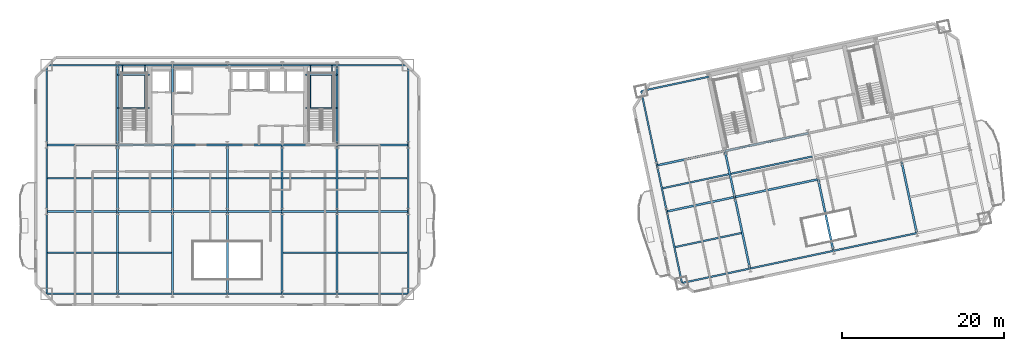
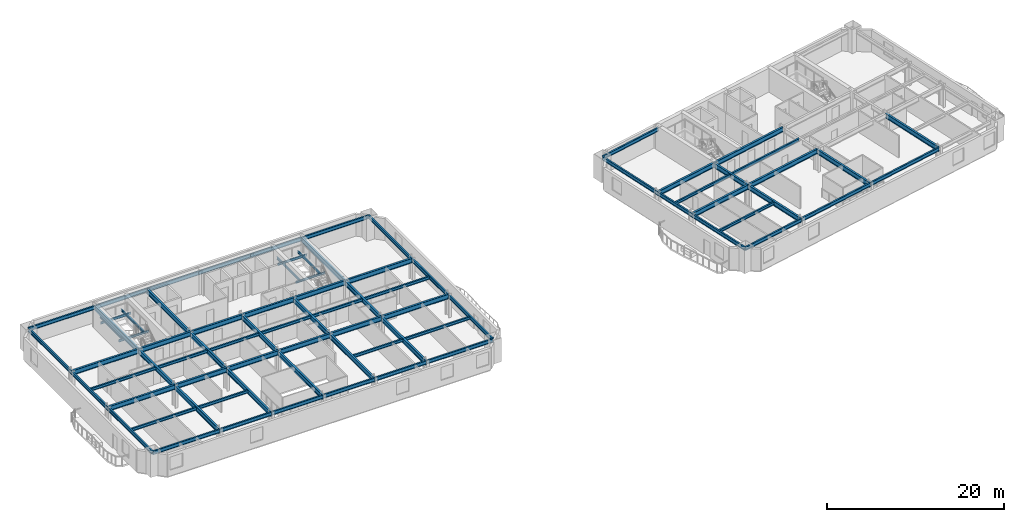
# One storey, part 3 of 13: 79 beams.
"""IFC4 building model written with IfcOpenShell, lengths in metres."""

import ifcopenshell
import ifcopenshell.guid

model = None  # the IFC model being written
_history = None  # IfcOwnerHistory: only IFC2X3 demands one
_inside = {}  # id of a spatial element -> (the spatial element, [elements in it])
_under = {}  # id of a project, library or spatial element -> (it, [spatial elements below it])
_declared = {}  # id of a project -> (the project, [libraries it declares])
_typed = {}  # id of a type object -> (the type object, [elements of that type])
_made_of = {}  # id of a material, layer set ... -> (it, [elements and type objects made of it])


def new_model(schema):
    """Start an empty IFC model of exactly this schema.

    Asked for "IFC4X3", IfcOpenShell would pick the latest addendum, in which some entities
    have other attributes; the version numbers below select the first issue.
    IFC2X3 requires an IfcOwnerHistory on every rooted entity: one is made here for all.
    """
    global model, _history
    if schema == "IFC4X3":
        model = ifcopenshell.file(schema_version=(4, 3, 0, 0))
    else:
        model = ifcopenshell.file(schema=schema)
    _inside.clear()
    _under.clear()
    _declared.clear()
    _typed.clear()
    _made_of.clear()
    _history = None
    if model.schema == "IFC2X3":
        org = make("IfcOrganization", Name="unknown")
        user = make(
            "IfcPersonAndOrganization",
            ThePerson=make("IfcPerson", FamilyName="unknown"),
            TheOrganization=org,
        )
        app = make(
            "IfcApplication",
            ApplicationDeveloper=org,
            Version="unknown",
            ApplicationFullName="unknown",
            ApplicationIdentifier="unknown",
        )
        _history = make(
            "IfcOwnerHistory",
            OwningUser=user,
            OwningApplication=app,
            ChangeAction="ADDED",
            CreationDate=0,
        )
    return model


def make(cls, **values):
    """One entity of the class cls with the attributes given. An attribute that is None is left unset."""
    return model.create_entity(
        cls, **{name: value for name, value in values.items() if value is not None}
    )


def rooted(cls, **values):
    """An entity with a GlobalId (a new one), such as an element, a storey or a relation."""
    return make(cls, GlobalId=ifcopenshell.guid.new(), OwnerHistory=_history, **values)


def si_unit(unit_type, name, prefix=None):
    """IfcSIUnit, for example si_unit("LENGTHUNIT", "METRE", prefix="MILLI")."""
    return make("IfcSIUnit", UnitType=unit_type, Prefix=prefix, Name=name)


def assignment(units):
    """IfcUnitAssignment: the units of a project."""
    return None if units is None else make("IfcUnitAssignment", Units=units)


def point(xyz):
    """IfcCartesianPoint."""
    return None if xyz is None else make("IfcCartesianPoint", Coordinates=xyz)


def direction(xyz):
    """IfcDirection."""
    return None if xyz is None else make("IfcDirection", DirectionRatios=xyz)


def frame(location, z_axis=None, x_axis=None):
    """IfcAxis2Placement3D, a coordinate frame: its origin and axes. An axis left out is left unset."""
    return make(
        "IfcAxis2Placement3D",
        Location=point(location),
        Axis=direction(z_axis),
        RefDirection=direction(x_axis),
    )


def frame_2d(location, x_axis=None):
    """IfcAxis2Placement2D, a coordinate frame in the plane: its origin and x axis."""
    return make(
        "IfcAxis2Placement2D", Location=point(location), RefDirection=direction(x_axis)
    )


def origin():
    """The frame at (0, 0, 0) with its axes left unset."""
    return frame((0.0, 0.0, 0.0))


def origin_2d():
    """The frame at (0, 0) in the plane with its x axis left unset."""
    return frame_2d((0.0, 0.0))


def place(relative_to, where):
    """IfcLocalPlacement: puts the frame where relative to a parent placement (None: the world)."""
    return make(
        "IfcLocalPlacement", PlacementRelTo=relative_to, RelativePlacement=where
    )


def context(
    kind, dimensions, precision=None, world=None, true_north=None, identifier=None
):
    """IfcGeometricRepresentationContext, for example the 3D "Model" context."""
    return make(
        "IfcGeometricRepresentationContext",
        ContextIdentifier=identifier,
        ContextType=kind,
        CoordinateSpaceDimension=dimensions,
        Precision=precision,
        WorldCoordinateSystem=world,
        TrueNorth=true_north,
    )


def subcontext(parent, identifier, kind, view, scale=None):
    """IfcGeometricRepresentationSubContext, for example "Body" below "Model"."""
    return make(
        "IfcGeometricRepresentationSubContext",
        ContextIdentifier=identifier,
        ContextType=kind,
        ParentContext=parent,
        TargetScale=scale,
        TargetView=view,
    )


def project(units=None, contexts=None):
    """IfcProject with its units and contexts."""
    return rooted(
        "IfcProject",
        Name="project",
        RepresentationContexts=contexts,
        UnitsInContext=assignment(units),
    )


def spatial(cls, under=None, at=None, **own):
    """A site, building, storey or space (cls), placed at a placement, below another one or the project."""
    s = rooted(cls, ObjectPlacement=at, **own)
    if under is not None:
        _under.setdefault(under.id(), (under, []))[1].append(s)
    return s


def profile(cls, at=None, kind="AREA", **sizes):
    """A parametric profile (cls). Its sizes go by their IFC names, for example OverallWidth=200.0."""
    return make(cls, ProfileType=kind, Position=at, **sizes)


def i_section(**sizes):
    """IfcIShapeProfileDef."""
    return profile("IfcIShapeProfileDef", **sizes)


def extrude(swept, where, along, depth):
    """IfcExtrudedAreaSolid: the profile swept, set in the frame where, extruded along a direction by depth."""
    return make(
        "IfcExtrudedAreaSolid",
        SweptArea=swept,
        Position=where,
        ExtrudedDirection=direction(along),
        Depth=depth,
    )


def shape(context_of_items, identifier, shape_type, items):
    """IfcShapeRepresentation: the items that make up one representation, for example the "Body"."""
    return make(
        "IfcShapeRepresentation",
        ContextOfItems=context_of_items,
        RepresentationIdentifier=identifier,
        RepresentationType=shape_type,
        Items=items,
    )


def material(Name=None, Category=None):
    """IfcMaterial."""
    return make("IfcMaterial", Name=Name, Category=Category)


def material_profile(
    of_material, cross_section, Name=None, Category=None, Priority=None
):
    """IfcMaterialProfile: a cross section and its material."""
    return make(
        "IfcMaterialProfile",
        Name=Name,
        Material=of_material,
        Profile=cross_section,
        Priority=Priority,
        Category=Category,
    )


def profile_set(profiles, Name=None, composite=None):
    """IfcMaterialProfileSet."""
    return make(
        "IfcMaterialProfileSet",
        Name=Name,
        MaterialProfiles=profiles,
        CompositeProfile=composite,
    )


def made_of(thing, what):
    """Note that an element or type object is made of a material, layer set ...; save() writes the relation."""
    if what is not None:
        _made_of.setdefault(what.id(), (what, []))[1].append(thing)
    return thing


def type_object(cls, material=None, **own):
    """A type object (cls), such as IfcWallType, which elements share."""
    return made_of(rooted(cls, **own), material)


def element(
    cls,
    number,
    at=None,
    inside=None,
    cuts=None,
    type_object=None,
    material=None,
    context=None,
    identifier="Body",
    shape_type=None,
    held_by="IfcProductDefinitionShape",
    body=None,
    shapes=None,
    **own,
):
    """One element of the class cls, such as IfcWall. Its Tag is "e" and its number.

    at: its placement. inside: the storey or other place that contains it. cuts: it is an
    opening in that element (IfcRelVoidsElement). A single representation is given by context,
    identifier, shape_type and body (its items); several are given by shapes. held_by: the class
    of the entity that holds the representations. save() writes the other relations.
    """
    e = rooted(cls, Tag="e%d" % number, ObjectPlacement=at, **own)
    if body is not None:
        shapes = [shape(context, identifier, shape_type, body)]
    if shapes is not None:
        e.Representation = make(held_by, Representations=shapes)
    if inside is not None:
        _inside.setdefault(inside.id(), (inside, []))[1].append(e)
    if cuts is not None:
        rooted(
            "IfcRelVoidsElement", RelatingBuildingElement=cuts, RelatedOpeningElement=e
        )
    if type_object is not None:
        _typed.setdefault(type_object.id(), (type_object, []))[1].append(e)
    return made_of(e, material)


def aggregate(whole, parts):
    """IfcRelAggregates: a whole, such as a stair, and the parts it consists of."""
    return rooted("IfcRelAggregates", RelatingObject=whole, RelatedObjects=parts)


def save(model, path):
    """Write the relations noted so far, then the file.

    IfcRelAggregates (storeys below a building ...), IfcRelContainedInSpatialStructure (elements
    in a storey), IfcRelDefinesByType, IfcRelAssociatesMaterial and IfcRelDeclares: one each for
    every whole, place, type object, material and project.
    """
    for whole, parts in _under.values():
        aggregate(whole, parts)
    for where, things in _inside.values():
        rooted(
            "IfcRelContainedInSpatialStructure",
            RelatedElements=things,
            RelatingStructure=where,
        )
    for kind, things in _typed.values():
        rooted("IfcRelDefinesByType", RelatedObjects=things, RelatingType=kind)
    for what, things in _made_of.values():
        rooted("IfcRelAssociatesMaterial", RelatedObjects=things, RelatingMaterial=what)
    for by, libraries in _declared.values():
        rooted("IfcRelDeclares", RelatingContext=by, RelatedDefinitions=libraries)
    model.write(path)


model = new_model("IFC4")

# Units and contexts
model_context = context("Model", 3, precision=1e-05, world=origin(), true_north=direction((0.0, 1.0)))
body_context = subcontext(model_context, "Body", "Model", "MODEL_VIEW")
ifc_project = project(units=[si_unit("LENGTHUNIT", "METRE"), si_unit("AREAUNIT", "SQUARE_METRE"), si_unit("VOLUMEUNIT", "CUBIC_METRE"), si_unit("PLANEANGLEUNIT", "RADIAN"), si_unit("MASSUNIT", "GRAM", prefix="KILO")], contexts=[model_context])

# Site, building, storey
site_placement = place(None, origin())
site = spatial("IfcSite", under=ifc_project, at=site_placement, CompositionType="ELEMENT")
building_placement = place(site_placement, origin())
building = spatial("IfcBuilding", under=site, at=building_placement, Name="Haevon Station Towers", CompositionType="ELEMENT")
storey_placement = place(building_placement, frame((0.0, 0.0, 99.89990234375)))
storey = spatial("IfcBuildingStorey", under=building, at=storey_placement, Name="L26", CompositionType="ELEMENT", Elevation=99.89990234375)

# Beams
ifc_material = material(Name="Steel S355", Category="steel")
ifc_material_profile_1 = material_profile(ifc_material, i_section(OverallWidth=0.25, OverallDepth=0.64990234375, WebThickness=0.012939453125, FlangeThickness=0.02197265625, at=origin_2d()), Name="H-650x250x13x22")
ifc_profile_set_1 = profile_set([ifc_material_profile_1], Name="Steel S355")
beam_type_1 = type_object("IfcBeamType", Name="BM-G650", PredefinedType="BEAM", material=ifc_profile_set_1)
beam_1_placement = place(storey_placement, frame((15.25, 30.0, 2.72509765625), z_axis=(1.0, 0.0, 0.0), x_axis=(0.0, 1.0, 0.0)))
element("IfcBeam", 1, at=beam_1_placement, inside=storey, type_object=beam_type_1, Name="BM-T1U-L26-02-01", PredefinedType="BEAM", context=body_context, shape_type="SweptSolid", body=[
    extrude(i_section(OverallWidth=0.25, OverallDepth=0.64990234375, WebThickness=0.012939453125, FlangeThickness=0.02197265625, at=origin_2d()), origin(), (0.0, 0.0, 1.0), 8.75),
])
for number, where, z_axis, x_axis, name in (
    (2, (24.0, 30.0, 2.72509765625), (1.0, 0.0, 0.0), (0.0, 1.0, 0.0), "BM-T1U-L26-02-02"),
    (3, (30.75, 30.0, 2.72509765625), (1.0, 0.0, 0.0), (0.0, 1.0, 0.0), "BM-T1U-L26-02-03"),
    (4, (37.5, 30.0, 2.72509765625), (1.0, 0.0, 0.0), (0.0, 1.0, 0.0), "BM-T1U-L26-02-04"),
    (5, (44.25, 30.0, 2.72509765625), (1.0, 0.0, 0.0), (0.0, 1.0, 0.0), "BM-T1U-L26-02-05"),
):
    element("IfcBeam", number, at=place(storey_placement, frame(where, z_axis=z_axis, x_axis=x_axis)), inside=storey, type_object=beam_type_1, Name=name, PredefinedType="BEAM", context=body_context, shape_type="SweptSolid", body=[
        extrude(i_section(OverallWidth=0.25, OverallDepth=0.64990234375, WebThickness=0.012939453125, FlangeThickness=0.02197265625, at=origin_2d()), origin(), (0.0, 0.0, 1.0), 6.75),
    ])
for number, where, z_axis, x_axis, name in (
    (6, (51.0, 30.0, 2.72509765625), (1.0, 0.0, 0.0), (0.0, 1.0, 0.0), "BM-T1U-L26-02-06"),
    (7, (15.25, 38.199951171875, 2.72509765625), (1.0, 0.0, 0.0), (0.0, 1.0, 0.0), "BM-T1U-L26-03-01"),
):
    element("IfcBeam", number, at=place(storey_placement, frame(where, z_axis=z_axis, x_axis=x_axis)), inside=storey, type_object=beam_type_1, Name=name, PredefinedType="BEAM", context=body_context, shape_type="SweptSolid", body=[
        extrude(i_section(OverallWidth=0.25, OverallDepth=0.64990234375, WebThickness=0.012939453125, FlangeThickness=0.02197265625, at=origin_2d()), origin(), (0.0, 0.0, 1.0), 8.75),
    ])
for number, where, z_axis, x_axis, name in (
    (8, (24.0, 38.199951171875, 2.72509765625), (1.0, 0.0, 0.0), (0.0, 1.0, 0.0), "BM-T1U-L26-03-02"),
    (9, (30.75, 38.199951171875, 2.72509765625), (1.0, 0.0, 0.0), (0.0, 1.0, 0.0), "BM-T1U-L26-03-03"),
    (10, (37.5, 38.199951171875, 2.72509765625), (1.0, 0.0, 0.0), (0.0, 1.0, 0.0), "BM-T1U-L26-03-04"),
    (11, (44.25, 38.199951171875, 2.72509765625), (1.0, 0.0, 0.0), (0.0, 1.0, 0.0), "BM-T1U-L26-03-05"),
):
    element("IfcBeam", number, at=place(storey_placement, frame(where, z_axis=z_axis, x_axis=x_axis)), inside=storey, type_object=beam_type_1, Name=name, PredefinedType="BEAM", context=body_context, shape_type="SweptSolid", body=[
        extrude(i_section(OverallWidth=0.25, OverallDepth=0.64990234375, WebThickness=0.012939453125, FlangeThickness=0.02197265625, at=origin_2d()), origin(), (0.0, 0.0, 1.0), 6.75),
    ])
beam_2_placement = place(storey_placement, frame((51.0, 38.199951171875, 2.72509765625), z_axis=(1.0, 0.0, 0.0), x_axis=(0.0, 1.0, 0.0)))
element("IfcBeam", 12, at=beam_2_placement, inside=storey, type_object=beam_type_1, Name="BM-T1U-L26-03-06", PredefinedType="BEAM", context=body_context, shape_type="SweptSolid", body=[
    extrude(i_section(OverallWidth=0.25, OverallDepth=0.64990234375, WebThickness=0.012939453125, FlangeThickness=0.02197265625, at=origin_2d()), origin(), (0.0, 0.0, 1.0), 8.75),
])
beam_3_placement = place(storey_placement, frame((24.0, 19.85009765625, 2.72509765625), z_axis=(0.0, 1.0, 0.0), x_axis=(-1.0, 0.0, 0.0)))
element("IfcBeam", 13, at=beam_3_placement, inside=storey, type_object=beam_type_1, Name="BM-T1V-L26-02-01", PredefinedType="BEAM", context=body_context, shape_type="SweptSolid", body=[
    extrude(i_section(OverallWidth=0.25, OverallDepth=0.64990234375, WebThickness=0.012939453125, FlangeThickness=0.02197265625, at=origin_2d()), origin(), (0.0, 0.0, 1.0), 10.14990234375),
])
beam_4_placement = place(storey_placement, frame((24.0, 30.0, 2.72509765625), z_axis=(0.0, 1.0, 0.0), x_axis=(-1.0, 0.0, 0.0)))
element("IfcBeam", 14, at=beam_4_placement, inside=storey, type_object=beam_type_1, Name="BM-T1V-L26-02-02", PredefinedType="BEAM", context=body_context, shape_type="SweptSolid", body=[
    extrude(i_section(OverallWidth=0.25, OverallDepth=0.64990234375, WebThickness=0.012939453125, FlangeThickness=0.02197265625, at=origin_2d()), origin(), (0.0, 0.0, 1.0), 8.199951171875),
])
beam_5_placement = place(storey_placement, frame((24.0, 38.199951171875, 2.72509765625), z_axis=(0.0, 1.0, 0.0), x_axis=(-1.0, 0.0, 0.0)))
element("IfcBeam", 15, at=beam_5_placement, inside=storey, type_object=beam_type_1, Name="BM-T1V-L26-02-03", PredefinedType="BEAM", context=body_context, shape_type="SweptSolid", body=[
    extrude(i_section(OverallWidth=0.25, OverallDepth=0.64990234375, WebThickness=0.012939453125, FlangeThickness=0.02197265625, at=origin_2d()), origin(), (0.0, 0.0, 1.0), 9.800048828125),
])
beam_6_placement = place(storey_placement, frame((30.75, 19.85009765625, 2.72509765625), z_axis=(0.0, 1.0, 0.0), x_axis=(-1.0, 0.0, 0.0)))
element("IfcBeam", 16, at=beam_6_placement, inside=storey, type_object=beam_type_1, Name="BM-T1V-L26-03-01", PredefinedType="BEAM", context=body_context, shape_type="SweptSolid", body=[
    extrude(i_section(OverallWidth=0.25, OverallDepth=0.64990234375, WebThickness=0.012939453125, FlangeThickness=0.02197265625, at=origin_2d()), origin(), (0.0, 0.0, 1.0), 10.14990234375),
])
beam_7_placement = place(storey_placement, frame((30.75, 30.0, 2.72509765625), z_axis=(0.0, 1.0, 0.0), x_axis=(-1.0, 0.0, 0.0)))
element("IfcBeam", 17, at=beam_7_placement, inside=storey, type_object=beam_type_1, Name="BM-T1V-L26-03-02", PredefinedType="BEAM", context=body_context, shape_type="SweptSolid", body=[
    extrude(i_section(OverallWidth=0.25, OverallDepth=0.64990234375, WebThickness=0.012939453125, FlangeThickness=0.02197265625, at=origin_2d()), origin(), (0.0, 0.0, 1.0), 8.199951171875),
])
beam_8_placement = place(storey_placement, frame((30.75, 38.199951171875, 2.72509765625), z_axis=(0.0, 1.0, 0.0), x_axis=(-1.0, 0.0, 0.0)))
element("IfcBeam", 18, at=beam_8_placement, inside=storey, type_object=beam_type_1, Name="BM-T1V-L26-03-03", PredefinedType="BEAM", context=body_context, shape_type="SweptSolid", body=[
    extrude(i_section(OverallWidth=0.25, OverallDepth=0.64990234375, WebThickness=0.012939453125, FlangeThickness=0.02197265625, at=origin_2d()), origin(), (0.0, 0.0, 1.0), 9.800048828125),
])
beam_9_placement = place(storey_placement, frame((37.5, 19.85009765625, 2.72509765625), z_axis=(0.0, 1.0, 0.0), x_axis=(-1.0, 0.0, 0.0)))
element("IfcBeam", 19, at=beam_9_placement, inside=storey, type_object=beam_type_1, Name="BM-T1V-L26-04-01", PredefinedType="BEAM", context=body_context, shape_type="SweptSolid", body=[
    extrude(i_section(OverallWidth=0.25, OverallDepth=0.64990234375, WebThickness=0.012939453125, FlangeThickness=0.02197265625, at=origin_2d()), origin(), (0.0, 0.0, 1.0), 10.14990234375),
])
beam_10_placement = place(storey_placement, frame((37.5, 30.0, 2.72509765625), z_axis=(0.0, 1.0, 0.0), x_axis=(-1.0, 0.0, 0.0)))
element("IfcBeam", 20, at=beam_10_placement, inside=storey, type_object=beam_type_1, Name="BM-T1V-L26-04-02", PredefinedType="BEAM", context=body_context, shape_type="SweptSolid", body=[
    extrude(i_section(OverallWidth=0.25, OverallDepth=0.64990234375, WebThickness=0.012939453125, FlangeThickness=0.02197265625, at=origin_2d()), origin(), (0.0, 0.0, 1.0), 8.199951171875),
])
beam_11_placement = place(storey_placement, frame((44.25, 19.85009765625, 2.72509765625), z_axis=(0.0, 1.0, 0.0), x_axis=(-1.0, 0.0, 0.0)))
element("IfcBeam", 21, at=beam_11_placement, inside=storey, type_object=beam_type_1, Name="BM-T1V-L26-05-01", PredefinedType="BEAM", context=body_context, shape_type="SweptSolid", body=[
    extrude(i_section(OverallWidth=0.25, OverallDepth=0.64990234375, WebThickness=0.012939453125, FlangeThickness=0.02197265625, at=origin_2d()), origin(), (0.0, 0.0, 1.0), 10.14990234375),
])
beam_12_placement = place(storey_placement, frame((44.25, 30.0, 2.72509765625), z_axis=(0.0, 1.0, 0.0), x_axis=(-1.0, 0.0, 0.0)))
element("IfcBeam", 22, at=beam_12_placement, inside=storey, type_object=beam_type_1, Name="BM-T1V-L26-05-02", PredefinedType="BEAM", context=body_context, shape_type="SweptSolid", body=[
    extrude(i_section(OverallWidth=0.25, OverallDepth=0.64990234375, WebThickness=0.012939453125, FlangeThickness=0.02197265625, at=origin_2d()), origin(), (0.0, 0.0, 1.0), 8.199951171875),
])
beam_13_placement = place(storey_placement, frame((51.0, 19.85009765625, 2.72509765625), z_axis=(0.0, 1.0, 0.0), x_axis=(-1.0, 0.0, 0.0)))
element("IfcBeam", 23, at=beam_13_placement, inside=storey, type_object=beam_type_1, Name="BM-T1V-L26-06-01", PredefinedType="BEAM", context=body_context, shape_type="SweptSolid", body=[
    extrude(i_section(OverallWidth=0.25, OverallDepth=0.64990234375, WebThickness=0.012939453125, FlangeThickness=0.02197265625, at=origin_2d()), origin(), (0.0, 0.0, 1.0), 10.14990234375),
])
beam_14_placement = place(storey_placement, frame((51.0, 30.0, 2.72509765625), z_axis=(0.0, 1.0, 0.0), x_axis=(-1.0, 0.0, 0.0)))
element("IfcBeam", 24, at=beam_14_placement, inside=storey, type_object=beam_type_1, Name="BM-T1V-L26-06-02", PredefinedType="BEAM", context=body_context, shape_type="SweptSolid", body=[
    extrude(i_section(OverallWidth=0.25, OverallDepth=0.64990234375, WebThickness=0.012939453125, FlangeThickness=0.02197265625, at=origin_2d()), origin(), (0.0, 0.0, 1.0), 8.199951171875),
])
beam_15_placement = place(storey_placement, frame((51.0, 38.199951171875, 2.72509765625), z_axis=(0.0, 1.0, 0.0), x_axis=(-1.0, 0.0, 0.0)))
element("IfcBeam", 25, at=beam_15_placement, inside=storey, type_object=beam_type_1, Name="BM-T1V-L26-06-03", PredefinedType="BEAM", context=body_context, shape_type="SweptSolid", body=[
    extrude(i_section(OverallWidth=0.25, OverallDepth=0.64990234375, WebThickness=0.012939453125, FlangeThickness=0.02197265625, at=origin_2d()), origin(), (0.0, 0.0, 1.0), 9.800048828125),
])
beam_16_placement = place(storey_placement, frame((91.594970703125, 29.991455078125, 2.72509765625), z_axis=(0.978149560998, 0.207902468287, 0.0), x_axis=(-0.207902468287, 0.978149560998, 0.0)))
element("IfcBeam", 26, at=beam_16_placement, inside=storey, type_object=beam_type_1, Name="BM-T2U-L26-02-01", PredefinedType="BEAM", context=body_context, shape_type="SweptSolid", body=[
    extrude(i_section(OverallWidth=0.25, OverallDepth=0.64990234375, WebThickness=0.012939453125, FlangeThickness=0.02197265625, at=origin_2d()), origin(), (0.0, 0.0, 1.0), 8.550048828125),
])
beam_17_placement = place(storey_placement, frame((99.958251953125, 31.76904296875, 2.72509765625), z_axis=(0.978146794194, 0.207915485254, 0.0), x_axis=(-0.207915485254, 0.978146794194, 0.0)))
element("IfcBeam", 27, at=beam_17_placement, inside=storey, type_object=beam_type_1, Name="BM-T2U-L26-02-02", PredefinedType="BEAM", context=body_context, shape_type="SweptSolid", body=[
    extrude(i_section(OverallWidth=0.25, OverallDepth=0.64990234375, WebThickness=0.012939453125, FlangeThickness=0.02197265625, at=origin_2d()), origin(), (0.0, 0.0, 1.0), 10.5),
])
beam_18_placement = place(storey_placement, frame((90.38916015625, 35.664794921875, 2.72509765625), z_axis=(0.978149560998, 0.207902468287, 0.0), x_axis=(-0.207902468287, 0.978149560998, 0.0)))
element("IfcBeam", 28, at=beam_18_placement, inside=storey, type_object=beam_type_1, Name="BM-T2U-L26-03-01", PredefinedType="BEAM", context=body_context, shape_type="SweptSolid", body=[
    extrude(i_section(OverallWidth=0.25, OverallDepth=0.64990234375, WebThickness=0.012939453125, FlangeThickness=0.02197265625, at=origin_2d()), origin(), (0.0, 0.0, 1.0), 8.550048828125),
])
beam_19_placement = place(storey_placement, frame((98.75244140625, 37.4423828125, 2.72509765625), z_axis=(0.978146794194, 0.207915485254, 0.0), x_axis=(-0.207915485254, 0.978146794194, 0.0)))
element("IfcBeam", 29, at=beam_19_placement, inside=storey, type_object=beam_type_1, Name="BM-T2U-L26-03-02", PredefinedType="BEAM", context=body_context, shape_type="SweptSolid", body=[
    extrude(i_section(OverallWidth=0.25, OverallDepth=0.64990234375, WebThickness=0.012939453125, FlangeThickness=0.02197265625, at=origin_2d()), origin(), (0.0, 0.0, 1.0), 10.5),
])
beam_20_placement = place(storey_placement, frame((101.829345703125, 22.9658203125, 2.72509765625), z_axis=(-0.20790223038, 0.978149611564, 0.0), x_axis=(-0.978149611564, -0.20790223038, 0.0)))
element("IfcBeam", 30, at=beam_20_placement, inside=storey, type_object=beam_type_1, Name="BM-T2V-L26-02-01", PredefinedType="BEAM", context=body_context, shape_type="SweptSolid", body=[
    extrude(i_section(OverallWidth=0.25, OverallDepth=0.64990234375, WebThickness=0.012939453125, FlangeThickness=0.02197265625, at=origin_2d()), origin(), (0.0, 0.0, 1.0), 8.999755859375),
])
beam_21_placement = place(storey_placement, frame((99.958251953125, 31.76904296875, 2.72509765625), z_axis=(-0.207896009217, 0.97815093383, 0.0), x_axis=(-0.97815093383, -0.207896009217, 0.0)))
element("IfcBeam", 31, at=beam_21_placement, inside=storey, type_object=beam_type_1, Name="BM-T2V-L26-02-02", PredefinedType="BEAM", context=body_context, shape_type="SweptSolid", body=[
    extrude(i_section(OverallWidth=0.25, OverallDepth=0.64990234375, WebThickness=0.012939453125, FlangeThickness=0.02197265625, at=origin_2d()), origin(), (0.0, 0.0, 1.0), 5.800048828125),
])
for number, where, z_axis, x_axis, name in (
    (32, (112.10009765625, 25.14892578125, 2.72509765625), (-0.207928184753, 0.978144094694, 0.0), (-0.978144094694, -0.207928184753, 0.0), "BM-T2V-L26-03-01"),
    (33, (122.37060546875, 27.33203125, 2.72509765625), (-0.207928184753, 0.978144094694, 0.0), (-0.978144094694, -0.207928184753, 0.0), "BM-T2V-L26-04-01"),
):
    element("IfcBeam", number, at=place(storey_placement, frame(where, z_axis=z_axis, x_axis=x_axis)), inside=storey, type_object=beam_type_1, Name=name, PredefinedType="BEAM", context=body_context, shape_type="SweptSolid", body=[
        extrude(i_section(OverallWidth=0.25, OverallDepth=0.64990234375, WebThickness=0.012939453125, FlangeThickness=0.02197265625, at=origin_2d()), origin(), (0.0, 0.0, 1.0), 9.0),
    ])
ifc_material_profile_2 = material_profile(ifc_material, i_section(OverallWidth=0.199951171875, OverallDepth=0.39990234375, WebThickness=0.008056640625, FlangeThickness=0.012939453125, at=origin_2d()), Name="H-400x200x8x13")
ifc_profile_set_2 = profile_set([ifc_material_profile_2], Name="Steel S355")
beam_type_2 = type_object("IfcBeamType", Name="BM-J400", PredefinedType="JOIST", material=ifc_profile_set_2)
beam_22_placement = place(storey_placement, frame((15.360107421875, 24.925048828125, 2.85009765625), z_axis=(1.0, 0.0, 0.0), x_axis=(0.0, 1.0, 0.0)))
element("IfcBeam", 34, at=beam_22_placement, inside=storey, type_object=beam_type_2, Name="BM-T1J-L26-01-01", PredefinedType="JOIST", context=body_context, shape_type="SweptSolid", body=[
    extrude(i_section(OverallWidth=0.199951171875, OverallDepth=0.39990234375, WebThickness=0.008056640625, FlangeThickness=0.012939453125, at=origin_2d()), origin(), (0.0, 0.0, 1.0), 8.52978515625),
])
for number, where, z_axis, x_axis, name in (
    (35, (24.110107421875, 24.925048828125, 2.85009765625), (1.0, 0.0, 0.0), (0.0, 1.0, 0.0), "BM-T1J-L26-01-02"),
    (36, (44.360107421875, 24.925048828125, 2.85009765625), (1.0, 0.0, 0.0), (0.0, 1.0, 0.0), "BM-T1J-L26-01-05"),
):
    element("IfcBeam", number, at=place(storey_placement, frame(where, z_axis=z_axis, x_axis=x_axis)), inside=storey, type_object=beam_type_2, Name=name, PredefinedType="JOIST", context=body_context, shape_type="SweptSolid", body=[
        extrude(i_section(OverallWidth=0.199951171875, OverallDepth=0.39990234375, WebThickness=0.008056640625, FlangeThickness=0.012939453125, at=origin_2d()), origin(), (0.0, 0.0, 1.0), 6.52978515625),
    ])
for number, where, z_axis, x_axis, name in (
    (37, (51.110107421875, 24.925048828125, 2.85009765625), (1.0, 0.0, 0.0), (0.0, 1.0, 0.0), "BM-T1J-L26-01-06"),
    (38, (15.360107421875, 34.10009765625, 2.85009765625), (1.0, 0.0, 0.0), (0.0, 1.0, 0.0), "BM-T1J-L26-02-01"),
):
    element("IfcBeam", number, at=place(storey_placement, frame(where, z_axis=z_axis, x_axis=x_axis)), inside=storey, type_object=beam_type_2, Name=name, PredefinedType="JOIST", context=body_context, shape_type="SweptSolid", body=[
        extrude(i_section(OverallWidth=0.199951171875, OverallDepth=0.39990234375, WebThickness=0.008056640625, FlangeThickness=0.012939453125, at=origin_2d()), origin(), (0.0, 0.0, 1.0), 8.52978515625),
    ])
for number, where, z_axis, x_axis, name in (
    (39, (24.110107421875, 34.10009765625, 2.85009765625), (1.0, 0.0, 0.0), (0.0, 1.0, 0.0), "BM-T1J-L26-02-02"),
    (40, (30.860107421875, 34.10009765625, 2.85009765625), (1.0, 0.0, 0.0), (0.0, 1.0, 0.0), "BM-T1J-L26-02-03"),
    (41, (37.610107421875, 34.10009765625, 2.85009765625), (1.0, 0.0, 0.0), (0.0, 1.0, 0.0), "BM-T1J-L26-02-04"),
    (42, (44.360107421875, 34.10009765625, 2.85009765625), (1.0, 0.0, 0.0), (0.0, 1.0, 0.0), "BM-T1J-L26-02-05"),
):
    element("IfcBeam", number, at=place(storey_placement, frame(where, z_axis=z_axis, x_axis=x_axis)), inside=storey, type_object=beam_type_2, Name=name, PredefinedType="JOIST", context=body_context, shape_type="SweptSolid", body=[
        extrude(i_section(OverallWidth=0.199951171875, OverallDepth=0.39990234375, WebThickness=0.008056640625, FlangeThickness=0.012939453125, at=origin_2d()), origin(), (0.0, 0.0, 1.0), 6.52978515625),
    ])
beam_23_placement = place(storey_placement, frame((51.110107421875, 34.10009765625, 2.85009765625), z_axis=(1.0, 0.0, 0.0), x_axis=(0.0, 1.0, 0.0)))
element("IfcBeam", 43, at=beam_23_placement, inside=storey, type_object=beam_type_2, Name="BM-T1J-L26-02-06", PredefinedType="JOIST", context=body_context, shape_type="SweptSolid", body=[
    extrude(i_section(OverallWidth=0.199951171875, OverallDepth=0.39990234375, WebThickness=0.008056640625, FlangeThickness=0.012939453125, at=origin_2d()), origin(), (0.0, 0.0, 1.0), 8.52978515625),
])
beam_24_placement = place(storey_placement, frame((92.63818359375, 25.61279296875, 2.85009765625), z_axis=(0.978146782292, 0.207915541247, 0.0), x_axis=(-0.207915541247, 0.978146782292, 0.0)))
element("IfcBeam", 44, at=beam_24_placement, inside=storey, type_object=beam_type_2, Name="BM-T2J-L26-01-01", PredefinedType="JOIST", context=body_context, shape_type="SweptSolid", body=[
    extrude(i_section(OverallWidth=0.199951171875, OverallDepth=0.39990234375, WebThickness=0.008056640625, FlangeThickness=0.012939453125, at=origin_2d()), origin(), (0.0, 0.0, 1.0), 8.330078125),
])
beam_25_placement = place(storey_placement, frame((91.099609375, 32.85107421875, 2.85009765625), z_axis=(0.978148049217, 0.207909580858, 0.0), x_axis=(-0.207909580858, 0.978148049217, 0.0)))
element("IfcBeam", 45, at=beam_25_placement, inside=storey, type_object=beam_type_2, Name="BM-T2J-L26-02-01", PredefinedType="JOIST", context=body_context, shape_type="SweptSolid", body=[
    extrude(i_section(OverallWidth=0.199951171875, OverallDepth=0.39990234375, WebThickness=0.008056640625, FlangeThickness=0.012939453125, at=origin_2d()), origin(), (0.0, 0.0, 1.0), 8.330322265625),
])
beam_26_placement = place(storey_placement, frame((99.462890625, 34.628662109375, 2.85009765625), z_axis=(0.978150339653, 0.207898804801, 0.0), x_axis=(-0.207898804801, 0.978150339653, 0.0)))
element("IfcBeam", 46, at=beam_26_placement, inside=storey, type_object=beam_type_2, Name="BM-T2J-L26-02-02", PredefinedType="JOIST", context=body_context, shape_type="SweptSolid", body=[
    extrude(i_section(OverallWidth=0.199951171875, OverallDepth=0.39990234375, WebThickness=0.008056640625, FlangeThickness=0.012939453125, at=origin_2d()), origin(), (0.0, 0.0, 1.0), 10.280029296875),
])
ifc_material_profile_3 = material_profile(ifc_material, i_section(OverallWidth=0.14990234375, OverallDepth=0.300048828125, WebThickness=0.006591796875, FlangeThickness=0.009033203125, at=origin_2d()), Name="H-300x150x6.5x9")
ifc_profile_set_3 = profile_set([ifc_material_profile_3], Name="Steel S355")
beam_type_3 = type_object("IfcBeamType", Name="BM-LIN300", PredefinedType="LINTEL", material=ifc_profile_set_3)
for number, where, z_axis, x_axis, name in (
    (47, (24.0, 42.743896484375, 1.300048828125), (1.0, 0.0, 0.0), (0.0, 1.0, 0.0), "BM-ST1L-L26-1-S"),
    (48, (24.0, 46.820068359375, 1.300048828125), (1.0, 0.0, 0.0), (0.0, 1.0, 0.0), "BM-ST1L-L26-1-N"),
):
    element("IfcBeam", number, at=place(storey_placement, frame(where, z_axis=z_axis, x_axis=x_axis)), inside=storey, type_object=beam_type_3, Name=name, PredefinedType="LINTEL", context=body_context, shape_type="SweptSolid", body=[
        extrude(i_section(OverallWidth=0.14990234375, OverallDepth=0.300048828125, WebThickness=0.006591796875, FlangeThickness=0.009033203125, at=origin_2d()), origin(), (0.0, 0.0, 1.0), 3.949951171875),
    ])
for number, where, z_axis, x_axis, name in (
    (49, (24.60009765625, 42.743896484375, 1.300048828125), (0.0, 1.0, 0.0), (-1.0, 0.0, 0.0), "BM-ST1L-L26-1-W"),
    (50, (27.35009765625, 42.743896484375, 1.300048828125), (0.0, 1.0, 0.0), (-1.0, 0.0, 0.0), "BM-ST1L-L26-1-E"),
):
    element("IfcBeam", number, at=place(storey_placement, frame(where, z_axis=z_axis, x_axis=x_axis)), inside=storey, type_object=beam_type_3, Name=name, PredefinedType="LINTEL", context=body_context, shape_type="SweptSolid", body=[
        extrude(i_section(OverallWidth=0.14990234375, OverallDepth=0.300048828125, WebThickness=0.006591796875, FlangeThickness=0.009033203125, at=origin_2d()), origin(), (0.0, 0.0, 1.0), 5.256103515625),
    ])
for number, where, z_axis, x_axis, name in (
    (51, (47.14990234375, 42.743896484375, 1.300048828125), (1.0, 0.0, 0.0), (0.0, 1.0, 0.0), "BM-ST2L-L26-1-S"),
    (52, (47.14990234375, 46.820068359375, 1.300048828125), (1.0, 0.0, 0.0), (0.0, 1.0, 0.0), "BM-ST2L-L26-1-N"),
):
    element("IfcBeam", number, at=place(storey_placement, frame(where, z_axis=z_axis, x_axis=x_axis)), inside=storey, type_object=beam_type_3, Name=name, PredefinedType="LINTEL", context=body_context, shape_type="SweptSolid", body=[
        extrude(i_section(OverallWidth=0.14990234375, OverallDepth=0.300048828125, WebThickness=0.006591796875, FlangeThickness=0.009033203125, at=origin_2d()), origin(), (0.0, 0.0, 1.0), 3.85009765625),
    ])
for number, where, z_axis, x_axis, name in (
    (53, (47.75, 42.743896484375, 1.300048828125), (0.0, 1.0, 0.0), (-1.0, 0.0, 0.0), "BM-ST2L-L26-1-W"),
    (54, (50.39990234375, 42.743896484375, 1.300048828125), (0.0, 1.0, 0.0), (-1.0, 0.0, 0.0), "BM-ST2L-L26-1-E"),
):
    element("IfcBeam", number, at=place(storey_placement, frame(where, z_axis=z_axis, x_axis=x_axis)), inside=storey, type_object=beam_type_3, Name=name, PredefinedType="LINTEL", context=body_context, shape_type="SweptSolid", body=[
        extrude(i_section(OverallWidth=0.14990234375, OverallDepth=0.300048828125, WebThickness=0.006591796875, FlangeThickness=0.009033203125, at=origin_2d()), origin(), (0.0, 0.0, 1.0), 5.256103515625),
    ])
ifc_material_profile_4 = material_profile(ifc_material, i_section(OverallWidth=0.199951171875, OverallDepth=0.5, WebThickness=0.010009765625, FlangeThickness=0.01611328125, at=origin_2d()), Name="H-500x200x10x16")
ifc_profile_set_4 = profile_set([ifc_material_profile_4], Name="Steel S355")
beam_type_4 = type_object("IfcBeamType", Name="BM-SP500", PredefinedType="SPANDREL", material=ifc_profile_set_4)
beam_27_placement = place(storey_placement, frame((15.25, 19.85009765625, 2.800048828125), z_axis=(1.0, 0.0, 0.0), x_axis=(0.0, 1.0, 0.0)))
element("IfcBeam", 55, at=beam_27_placement, inside=storey, type_object=beam_type_4, Name="BM-T1U-L26-01-01", PredefinedType="SPANDREL", context=body_context, shape_type="SweptSolid", body=[
    extrude(i_section(OverallWidth=0.199951171875, OverallDepth=0.5, WebThickness=0.010009765625, FlangeThickness=0.01611328125, at=origin_2d()), origin(), (0.0, 0.0, 1.0), 8.75),
])
for number, where, z_axis, x_axis, name in (
    (56, (24.0, 19.85009765625, 2.800048828125), (1.0, 0.0, 0.0), (0.0, 1.0, 0.0), "BM-T1U-L26-01-02"),
    (57, (30.75, 19.85009765625, 2.800048828125), (1.0, 0.0, 0.0), (0.0, 1.0, 0.0), "BM-T1U-L26-01-03"),
    (58, (37.5, 19.85009765625, 2.800048828125), (1.0, 0.0, 0.0), (0.0, 1.0, 0.0), "BM-T1U-L26-01-04"),
    (59, (44.25, 19.85009765625, 2.800048828125), (1.0, 0.0, 0.0), (0.0, 1.0, 0.0), "BM-T1U-L26-01-05"),
):
    element("IfcBeam", number, at=place(storey_placement, frame(where, z_axis=z_axis, x_axis=x_axis)), inside=storey, type_object=beam_type_4, Name=name, PredefinedType="SPANDREL", context=body_context, shape_type="SweptSolid", body=[
        extrude(i_section(OverallWidth=0.199951171875, OverallDepth=0.5, WebThickness=0.010009765625, FlangeThickness=0.01611328125, at=origin_2d()), origin(), (0.0, 0.0, 1.0), 6.75),
    ])
for number, where, z_axis, x_axis, name in (
    (60, (51.0, 19.85009765625, 2.800048828125), (1.0, 0.0, 0.0), (0.0, 1.0, 0.0), "BM-T1U-L26-01-06"),
    (61, (15.25, 48.0, 2.800048828125), (1.0, 0.0, 0.0), (0.0, 1.0, 0.0), "BM-T1U-L26-04-01"),
):
    element("IfcBeam", number, at=place(storey_placement, frame(where, z_axis=z_axis, x_axis=x_axis)), inside=storey, type_object=beam_type_4, Name=name, PredefinedType="SPANDREL", context=body_context, shape_type="SweptSolid", body=[
        extrude(i_section(OverallWidth=0.199951171875, OverallDepth=0.5, WebThickness=0.010009765625, FlangeThickness=0.01611328125, at=origin_2d()), origin(), (0.0, 0.0, 1.0), 8.75),
    ])
for number, where, z_axis, x_axis, name in (
    (62, (24.0, 48.0, 2.800048828125), (1.0, 0.0, 0.0), (0.0, 1.0, 0.0), "BM-T1U-L26-04-02"),
    (63, (30.75, 48.0, 2.800048828125), (1.0, 0.0, 0.0), (0.0, 1.0, 0.0), "BM-T1U-L26-04-03"),
    (64, (37.5, 48.0, 2.800048828125), (1.0, 0.0, 0.0), (0.0, 1.0, 0.0), "BM-T1U-L26-04-04"),
    (65, (44.25, 48.0, 2.800048828125), (1.0, 0.0, 0.0), (0.0, 1.0, 0.0), "BM-T1U-L26-04-05"),
):
    element("IfcBeam", number, at=place(storey_placement, frame(where, z_axis=z_axis, x_axis=x_axis)), inside=storey, type_object=beam_type_4, Name=name, PredefinedType="SPANDREL", context=body_context, shape_type="SweptSolid", body=[
        extrude(i_section(OverallWidth=0.199951171875, OverallDepth=0.5, WebThickness=0.010009765625, FlangeThickness=0.01611328125, at=origin_2d()), origin(), (0.0, 0.0, 1.0), 6.75),
    ])
beam_28_placement = place(storey_placement, frame((51.0, 48.0, 2.800048828125), z_axis=(1.0, 0.0, 0.0), x_axis=(0.0, 1.0, 0.0)))
element("IfcBeam", 66, at=beam_28_placement, inside=storey, type_object=beam_type_4, Name="BM-T1U-L26-04-06", PredefinedType="SPANDREL", context=body_context, shape_type="SweptSolid", body=[
    extrude(i_section(OverallWidth=0.199951171875, OverallDepth=0.5, WebThickness=0.010009765625, FlangeThickness=0.01611328125, at=origin_2d()), origin(), (0.0, 0.0, 1.0), 8.75),
])
beam_29_placement = place(storey_placement, frame((15.25, 19.85009765625, 2.800048828125), z_axis=(0.0, 1.0, 0.0), x_axis=(-1.0, 0.0, 0.0)))
element("IfcBeam", 67, at=beam_29_placement, inside=storey, type_object=beam_type_4, Name="BM-T1V-L26-01-01", PredefinedType="SPANDREL", context=body_context, shape_type="SweptSolid", body=[
    extrude(i_section(OverallWidth=0.199951171875, OverallDepth=0.5, WebThickness=0.010009765625, FlangeThickness=0.01611328125, at=origin_2d()), origin(), (0.0, 0.0, 1.0), 10.14990234375),
])
beam_30_placement = place(storey_placement, frame((15.25, 30.0, 2.800048828125), z_axis=(0.0, 1.0, 0.0), x_axis=(-1.0, 0.0, 0.0)))
element("IfcBeam", 68, at=beam_30_placement, inside=storey, type_object=beam_type_4, Name="BM-T1V-L26-01-02", PredefinedType="SPANDREL", context=body_context, shape_type="SweptSolid", body=[
    extrude(i_section(OverallWidth=0.199951171875, OverallDepth=0.5, WebThickness=0.010009765625, FlangeThickness=0.01611328125, at=origin_2d()), origin(), (0.0, 0.0, 1.0), 8.199951171875),
])
beam_31_placement = place(storey_placement, frame((15.25, 38.199951171875, 2.800048828125), z_axis=(0.0, 1.0, 0.0), x_axis=(-1.0, 0.0, 0.0)))
element("IfcBeam", 69, at=beam_31_placement, inside=storey, type_object=beam_type_4, Name="BM-T1V-L26-01-03", PredefinedType="SPANDREL", context=body_context, shape_type="SweptSolid", body=[
    extrude(i_section(OverallWidth=0.199951171875, OverallDepth=0.5, WebThickness=0.010009765625, FlangeThickness=0.01611328125, at=origin_2d()), origin(), (0.0, 0.0, 1.0), 9.800048828125),
])
beam_32_placement = place(storey_placement, frame((59.75, 19.85009765625, 2.800048828125), z_axis=(0.0, 1.0, 0.0), x_axis=(-1.0, 0.0, 0.0)))
element("IfcBeam", 70, at=beam_32_placement, inside=storey, type_object=beam_type_4, Name="BM-T1V-L26-07-01", PredefinedType="SPANDREL", context=body_context, shape_type="SweptSolid", body=[
    extrude(i_section(OverallWidth=0.199951171875, OverallDepth=0.5, WebThickness=0.010009765625, FlangeThickness=0.01611328125, at=origin_2d()), origin(), (0.0, 0.0, 1.0), 10.14990234375),
])
beam_33_placement = place(storey_placement, frame((59.75, 30.0, 2.800048828125), z_axis=(0.0, 1.0, 0.0), x_axis=(-1.0, 0.0, 0.0)))
element("IfcBeam", 71, at=beam_33_placement, inside=storey, type_object=beam_type_4, Name="BM-T1V-L26-07-02", PredefinedType="SPANDREL", context=body_context, shape_type="SweptSolid", body=[
    extrude(i_section(OverallWidth=0.199951171875, OverallDepth=0.5, WebThickness=0.010009765625, FlangeThickness=0.01611328125, at=origin_2d()), origin(), (0.0, 0.0, 1.0), 8.199951171875),
])
beam_34_placement = place(storey_placement, frame((59.75, 38.199951171875, 2.800048828125), z_axis=(0.0, 1.0, 0.0), x_axis=(-1.0, 0.0, 0.0)))
element("IfcBeam", 72, at=beam_34_placement, inside=storey, type_object=beam_type_4, Name="BM-T1V-L26-07-03", PredefinedType="SPANDREL", context=body_context, shape_type="SweptSolid", body=[
    extrude(i_section(OverallWidth=0.199951171875, OverallDepth=0.5, WebThickness=0.010009765625, FlangeThickness=0.01611328125, at=origin_2d()), origin(), (0.0, 0.0, 1.0), 9.800048828125),
])
beam_35_placement = place(storey_placement, frame((93.46630859375, 21.188232421875, 2.800048828125), z_axis=(0.978148326739, 0.2079082752, 0.0), x_axis=(-0.2079082752, 0.978148326739, 0.0)))
element("IfcBeam", 73, at=beam_35_placement, inside=storey, type_object=beam_type_4, Name="BM-T2U-L26-01-01", PredefinedType="SPANDREL", context=body_context, shape_type="SweptSolid", body=[
    extrude(i_section(OverallWidth=0.199951171875, OverallDepth=0.5, WebThickness=0.010009765625, FlangeThickness=0.01611328125, at=origin_2d()), origin(), (0.0, 0.0, 1.0), 8.5498046875),
])
beam_36_placement = place(storey_placement, frame((101.829345703125, 22.9658203125, 2.800048828125), z_axis=(0.978147799298, 0.207910756646, 0.0), x_axis=(-0.207910756646, 0.978147799298, 0.0)))
element("IfcBeam", 74, at=beam_36_placement, inside=storey, type_object=beam_type_4, Name="BM-T2U-L26-01-02", PredefinedType="SPANDREL", context=body_context, shape_type="SweptSolid", body=[
    extrude(i_section(OverallWidth=0.199951171875, OverallDepth=0.5, WebThickness=0.010009765625, FlangeThickness=0.01611328125, at=origin_2d()), origin(), (0.0, 0.0, 1.0), 10.500244140625),
])
beam_37_placement = place(storey_placement, frame((112.10009765625, 25.14892578125, 2.800048828125), z_axis=(0.978146794194, 0.207915485254, 0.0), x_axis=(-0.207915485254, 0.978146794194, 0.0)))
element("IfcBeam", 75, at=beam_37_placement, inside=storey, type_object=beam_type_4, Name="BM-T2U-L26-01-03", PredefinedType="SPANDREL", context=body_context, shape_type="SweptSolid", body=[
    extrude(i_section(OverallWidth=0.199951171875, OverallDepth=0.5, WebThickness=0.010009765625, FlangeThickness=0.01611328125, at=origin_2d()), origin(), (0.0, 0.0, 1.0), 10.5),
])
beam_38_placement = place(storey_placement, frame((88.4453125, 44.810546875, 2.800048828125), z_axis=(0.978148326739, 0.2079082752, 0.0), x_axis=(-0.2079082752, 0.978148326739, 0.0)))
element("IfcBeam", 76, at=beam_38_placement, inside=storey, type_object=beam_type_4, Name="BM-T2U-L26-04-01", PredefinedType="SPANDREL", context=body_context, shape_type="SweptSolid", body=[
    extrude(i_section(OverallWidth=0.199951171875, OverallDepth=0.5, WebThickness=0.010009765625, FlangeThickness=0.01611328125, at=origin_2d()), origin(), (0.0, 0.0, 1.0), 8.5498046875),
])
beam_39_placement = place(storey_placement, frame((93.46630859375, 21.188232421875, 2.800048828125), z_axis=(-0.207928184753, 0.978144094694, 0.0), x_axis=(-0.978144094694, -0.207928184753, 0.0)))
element("IfcBeam", 77, at=beam_39_placement, inside=storey, type_object=beam_type_4, Name="BM-T2V-L26-01-01", PredefinedType="SPANDREL", context=body_context, shape_type="SweptSolid", body=[
    extrude(i_section(OverallWidth=0.199951171875, OverallDepth=0.5, WebThickness=0.010009765625, FlangeThickness=0.01611328125, at=origin_2d()), origin(), (0.0, 0.0, 1.0), 9.0),
])
beam_40_placement = place(storey_placement, frame((91.594970703125, 29.991455078125, 2.800048828125), z_axis=(-0.207896009217, 0.97815093383, 0.0), x_axis=(-0.97815093383, -0.207896009217, 0.0)))
element("IfcBeam", 78, at=beam_40_placement, inside=storey, type_object=beam_type_4, Name="BM-T2V-L26-01-02", PredefinedType="SPANDREL", context=body_context, shape_type="SweptSolid", body=[
    extrude(i_section(OverallWidth=0.199951171875, OverallDepth=0.5, WebThickness=0.010009765625, FlangeThickness=0.01611328125, at=origin_2d()), origin(), (0.0, 0.0, 1.0), 5.800048828125),
])
beam_41_placement = place(storey_placement, frame((90.38916015625, 35.664794921875, 2.800048828125), z_axis=(-0.207897167074, 0.978150687738, 0.0), x_axis=(-0.978150687738, -0.207897167074, 0.0)))
element("IfcBeam", 79, at=beam_41_placement, inside=storey, type_object=beam_type_4, Name="BM-T2V-L26-01-03", PredefinedType="SPANDREL", context=body_context, shape_type="SweptSolid", body=[
    extrude(i_section(OverallWidth=0.199951171875, OverallDepth=0.5, WebThickness=0.010009765625, FlangeThickness=0.01611328125, at=origin_2d()), origin(), (0.0, 0.0, 1.0), 9.35009765625),
])

save(model, "model.ifc")
